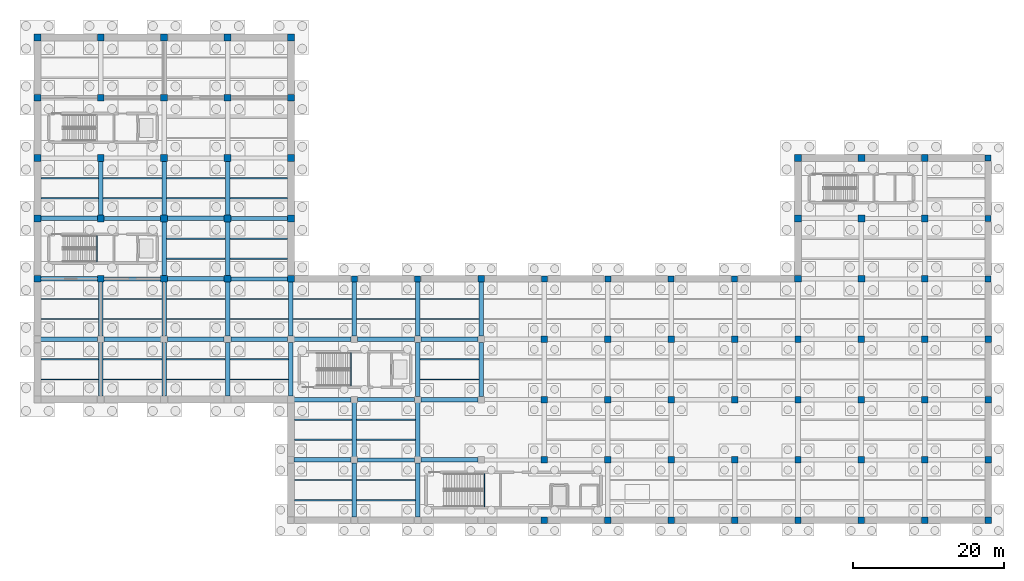
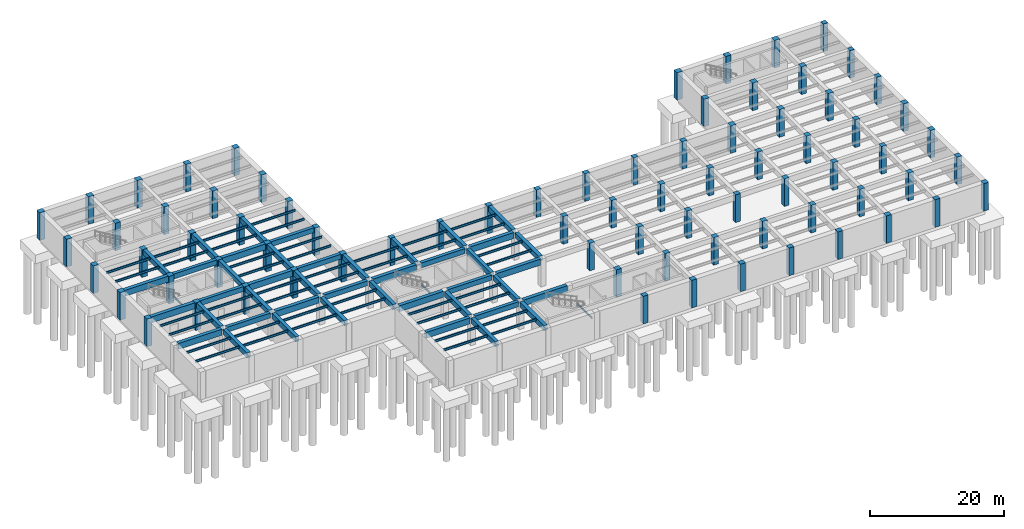
# One storey, part 3 of 12: 90 beams, 76 columns.
"""IFC4 building model written with IfcOpenShell, lengths in metres."""

from ifc_helpers import new_model, si_unit, direction, frame, origin, origin_2d, place, context, subcontext, project, spatial, rectangle, i_section, extrude, material, material_profile, profile_set, type_object, element, save


model = new_model("IFC4")

# Units and contexts
model_context = context("Model", 3, precision=1e-05, world=origin(), true_north=direction((0.0, 1.0)))
body_context = subcontext(model_context, "Body", "Model", "MODEL_VIEW")
ifc_project = project(units=[si_unit("LENGTHUNIT", "METRE"), si_unit("AREAUNIT", "SQUARE_METRE"), si_unit("VOLUMEUNIT", "CUBIC_METRE"), si_unit("PLANEANGLEUNIT", "RADIAN"), si_unit("MASSUNIT", "GRAM", prefix="KILO")], contexts=[model_context])

# Site, building, storey
site_placement = place(None, origin())
site = spatial("IfcSite", under=ifc_project, at=site_placement, CompositionType="ELEMENT")
building_placement = place(site_placement, origin())
building = spatial("IfcBuilding", under=site, at=building_placement, Name="Kranzveld Transit Interchange", CompositionType="ELEMENT")
storey_placement = place(building_placement, frame((0.0, 0.0, -10.8798828125)))
storey = spatial("IfcBuildingStorey", under=building, at=storey_placement, Name="B2", CompositionType="ELEMENT", Elevation=-10.8798828125)

# Columns
ifc_material_1 = material(Name="Concrete C40/50", Category="concrete")
ifc_material_profile_1 = material_profile(ifc_material_1, rectangle(XDim=0.800048828125, YDim=0.800048828125, at=origin_2d()), Name="RC 800x800")
ifc_profile_set_1 = profile_set([ifc_material_profile_1], Name="Concrete C40/50")
column_type_1 = type_object("IfcColumnType", Name="Column RC 800x800 C40/50", PredefinedType="COLUMN", material=ifc_profile_set_1)
for number, where, z_axis, x_axis, name in (
    (1, (42.0, 64.0, 0.0), (0.0, 0.0, 1.0), (1.0, 0.0, 0.0), "B2 Column 06/J"),
    (2, (50.39990234375, 64.0, 0.0), (0.0, 0.0, 1.0), (1.0, 0.0, 0.0), "B2 Column 07/J"),
    (3, (67.199951171875, 64.0, 0.0), (0.0, 0.0, 1.0), (1.0, 0.0, 0.0), "B2 Column 09/J"),
    (4, (75.60009765625, 64.0, 0.0), (0.0, 0.0, 1.0), (1.0, 0.0, 0.0), "B2 Column 10/J"),
    (5, (84.0, 64.0, 0.0), (0.0, 0.0, 1.0), (1.0, 0.0, 0.0), "B2 Column 11/J"),
    (6, (92.39990234375, 64.0, 0.0), (0.0, 0.0, 1.0), (1.0, 0.0, 0.0), "B2 Column 12/J"),
    (7, (126.0, 64.0, 0.0), (0.0, 0.0, 1.0), (1.0, 0.0, 0.0), "B2 Column 16/J"),
    (8, (126.0, 72.0, 0.0), (0.0, 0.0, 1.0), (1.0, 0.0, 0.0), "B2 Column 16/K"),
    (9, (126.0, 80.0, 0.0), (0.0, 0.0, 1.0), (1.0, 0.0, 0.0), "B2 Column 16/L"),
):
    element("IfcColumn", number, at=place(storey_placement, frame(where, z_axis=z_axis, x_axis=x_axis)), inside=storey, type_object=column_type_1, Name=name, PredefinedType="COLUMN", context=body_context, shape_type="SweptSolid", body=[
        extrude(rectangle(XDim=0.800048828125, YDim=0.800048828125, at=origin_2d()), origin(), (0.0, 0.0, 1.0), 5.039794921875),
    ])
ifc_material_2 = material(Name="Concrete C40/50", Category="concrete")
ifc_material_profile_2 = material_profile(ifc_material_2, rectangle(XDim=0.85009765625, YDim=0.85009765625, at=origin_2d()), Name="RC 850x850")
ifc_profile_set_2 = profile_set([ifc_material_profile_2], Name="Concrete C40/50")
column_type_2 = type_object("IfcColumnType", Name="Column RC 850x850 C40/50", PredefinedType="COLUMN", material=ifc_profile_set_2)
for number, where, z_axis, x_axis, name in (
    (10, (58.800048828125, 64.0, 0.0), (0.0, 0.0, 1.0), (1.0, 0.0, 0.0), "B2 Column 08/J"),
    (11, (67.199951171875, 32.0, 0.0), (0.0, 0.0, 1.0), (1.0, 0.0, 0.0), "B2 Column 09/E"),
    (12, (67.199951171875, 40.0, 0.0), (0.0, 0.0, 1.0), (1.0, 0.0, 0.0), "B2 Column 09/F"),
    (13, (67.199951171875, 48.0, 0.0), (0.0, 0.0, 1.0), (1.0, 0.0, 0.0), "B2 Column 09/G"),
    (14, (67.199951171875, 56.0, 0.0), (0.0, 0.0, 1.0), (1.0, 0.0, 0.0), "B2 Column 09/H"),
    (15, (75.60009765625, 32.0, 0.0), (0.0, 0.0, 1.0), (1.0, 0.0, 0.0), "B2 Column 10/E"),
    (16, (75.60009765625, 40.0, 0.0), (0.0, 0.0, 1.0), (1.0, 0.0, 0.0), "B2 Column 10/F"),
    (17, (75.60009765625, 48.0, 0.0), (0.0, 0.0, 1.0), (1.0, 0.0, 0.0), "B2 Column 10/G"),
    (18, (75.60009765625, 56.0, 0.0), (0.0, 0.0, 1.0), (1.0, 0.0, 0.0), "B2 Column 10/H"),
    (19, (84.0, 32.0, 0.0), (0.0, 0.0, 1.0), (1.0, 0.0, 0.0), "B2 Column 11/E"),
    (20, (84.0, 40.0, 0.0), (0.0, 0.0, 1.0), (1.0, 0.0, 0.0), "B2 Column 11/F"),
    (21, (84.0, 48.0, 0.0), (0.0, 0.0, 1.0), (1.0, 0.0, 0.0), "B2 Column 11/G"),
    (22, (84.0, 56.0, 0.0), (0.0, 0.0, 1.0), (1.0, 0.0, 0.0), "B2 Column 11/H"),
    (23, (92.39990234375, 32.0, 0.0), (0.0, 0.0, 1.0), (1.0, 0.0, 0.0), "B2 Column 12/E"),
    (24, (92.39990234375, 40.0, 0.0), (0.0, 0.0, 1.0), (1.0, 0.0, 0.0), "B2 Column 12/F"),
    (25, (92.39990234375, 48.0, 0.0), (0.0, 0.0, 1.0), (1.0, 0.0, 0.0), "B2 Column 12/G"),
    (26, (92.39990234375, 56.0, 0.0), (0.0, 0.0, 1.0), (1.0, 0.0, 0.0), "B2 Column 12/H"),
    (27, (100.800048828125, 32.0, 0.0), (0.0, 0.0, 1.0), (1.0, 0.0, 0.0), "B2 Column 13/E"),
    (28, (100.800048828125, 40.0, 0.0), (0.0, 0.0, 1.0), (1.0, 0.0, 0.0), "B2 Column 13/F"),
    (29, (100.800048828125, 48.0, 0.0), (0.0, 0.0, 1.0), (1.0, 0.0, 0.0), "B2 Column 13/G"),
    (30, (100.800048828125, 56.0, 0.0), (0.0, 0.0, 1.0), (1.0, 0.0, 0.0), "B2 Column 13/H"),
    (31, (109.199951171875, 32.0, 0.0), (0.0, 0.0, 1.0), (1.0, 0.0, 0.0), "B2 Column 14/E"),
    (32, (109.199951171875, 40.0, 0.0), (0.0, 0.0, 1.0), (1.0, 0.0, 0.0), "B2 Column 14/F"),
    (33, (109.199951171875, 48.0, 0.0), (0.0, 0.0, 1.0), (1.0, 0.0, 0.0), "B2 Column 14/G"),
    (34, (109.199951171875, 56.0, 0.0), (0.0, 0.0, 1.0), (1.0, 0.0, 0.0), "B2 Column 14/H"),
    (35, (117.60009765625, 32.0, 0.0), (0.0, 0.0, 1.0), (1.0, 0.0, 0.0), "B2 Column 15/E"),
    (36, (117.60009765625, 40.0, 0.0), (0.0, 0.0, 1.0), (1.0, 0.0, 0.0), "B2 Column 15/F"),
    (37, (117.60009765625, 48.0, 0.0), (0.0, 0.0, 1.0), (1.0, 0.0, 0.0), "B2 Column 15/G"),
    (38, (117.60009765625, 56.0, 0.0), (0.0, 0.0, 1.0), (1.0, 0.0, 0.0), "B2 Column 15/H"),
    (39, (126.0, 32.0, 0.0), (0.0, 0.0, 1.0), (1.0, 0.0, 0.0), "B2 Column 16/E"),
    (40, (126.0, 40.0, 0.0), (0.0, 0.0, 1.0), (1.0, 0.0, 0.0), "B2 Column 16/F"),
    (41, (126.0, 48.0, 0.0), (0.0, 0.0, 1.0), (1.0, 0.0, 0.0), "B2 Column 16/G"),
    (42, (126.0, 56.0, 0.0), (0.0, 0.0, 1.0), (1.0, 0.0, 0.0), "B2 Column 16/H"),
):
    element("IfcColumn", number, at=place(storey_placement, frame(where, z_axis=z_axis, x_axis=x_axis)), inside=storey, type_object=column_type_2, Name=name, PredefinedType="COLUMN", context=body_context, shape_type="SweptSolid", body=[
        extrude(rectangle(XDim=0.85009765625, YDim=0.85009765625, at=origin_2d()), origin(), (0.0, 0.0, 1.0), 5.039794921875),
    ])
ifc_material_3 = material(Name="Concrete C40/50", Category="concrete")
ifc_material_profile_3 = material_profile(ifc_material_3, rectangle(XDim=0.89990234375, YDim=0.89990234375, at=origin_2d()), Name="RC 900x900")
ifc_profile_set_3 = profile_set([ifc_material_profile_3], Name="Concrete C40/50")
column_type_3 = type_object("IfcColumnType", Name="Column RC 900x900 C40/50", PredefinedType="COLUMN", material=ifc_profile_set_3)
for number, where, z_axis, x_axis, name in (
    (43, (0.0, 64.0, 0.0), (0.0, 0.0, 1.0), (1.0, 0.0, 0.0), "B2 Column 01/J"),
    (44, (0.0, 72.0, 0.0), (0.0, 0.0, 1.0), (1.0, 0.0, 0.0), "B2 Column 01/K"),
    (45, (0.0, 80.0, 0.0), (0.0, 0.0, 1.0), (1.0, 0.0, 0.0), "B2 Column 01/L"),
    (46, (0.0, 88.0, 0.0), (0.0, 0.0, 1.0), (1.0, 0.0, 0.0), "B2 Column 01/M"),
    (47, (0.0, 96.0, 0.0), (0.0, 0.0, 1.0), (1.0, 0.0, 0.0), "B2 Column 01/N"),
    (48, (8.39990234375, 64.0, 0.0), (0.0, 0.0, 1.0), (1.0, 0.0, 0.0), "B2 Column 02/J"),
    (49, (8.39990234375, 72.0, 0.0), (0.0, 0.0, 1.0), (1.0, 0.0, 0.0), "B2 Column 02/K"),
    (50, (8.39990234375, 80.0, 0.0), (0.0, 0.0, 1.0), (1.0, 0.0, 0.0), "B2 Column 02/L"),
    (51, (8.39990234375, 88.0, 0.0), (0.0, 0.0, 1.0), (1.0, 0.0, 0.0), "B2 Column 02/M"),
    (52, (8.39990234375, 96.0, 0.0), (0.0, 0.0, 1.0), (1.0, 0.0, 0.0), "B2 Column 02/N"),
    (53, (16.800048828125, 64.0, 0.0), (0.0, 0.0, 1.0), (1.0, 0.0, 0.0), "B2 Column 03/J"),
    (54, (16.800048828125, 72.0, 0.0), (0.0, 0.0, 1.0), (1.0, 0.0, 0.0), "B2 Column 03/K"),
    (55, (16.800048828125, 80.0, 0.0), (0.0, 0.0, 1.0), (1.0, 0.0, 0.0), "B2 Column 03/L"),
    (56, (16.800048828125, 88.0, 0.0), (0.0, 0.0, 1.0), (1.0, 0.0, 0.0), "B2 Column 03/M"),
    (57, (16.800048828125, 96.0, 0.0), (0.0, 0.0, 1.0), (1.0, 0.0, 0.0), "B2 Column 03/N"),
    (58, (25.199951171875, 64.0, 0.0), (0.0, 0.0, 1.0), (1.0, 0.0, 0.0), "B2 Column 04/J"),
    (59, (25.199951171875, 72.0, 0.0), (0.0, 0.0, 1.0), (1.0, 0.0, 0.0), "B2 Column 04/K"),
    (60, (25.199951171875, 80.0, 0.0), (0.0, 0.0, 1.0), (1.0, 0.0, 0.0), "B2 Column 04/L"),
    (61, (25.199951171875, 88.0, 0.0), (0.0, 0.0, 1.0), (1.0, 0.0, 0.0), "B2 Column 04/M"),
    (62, (25.199951171875, 96.0, 0.0), (0.0, 0.0, 1.0), (1.0, 0.0, 0.0), "B2 Column 04/N"),
    (63, (33.60009765625, 64.0, 0.0), (0.0, 0.0, 1.0), (1.0, 0.0, 0.0), "B2 Column 05/J"),
    (64, (33.60009765625, 72.0, 0.0), (0.0, 0.0, 1.0), (1.0, 0.0, 0.0), "B2 Column 05/K"),
    (65, (33.60009765625, 80.0, 0.0), (0.0, 0.0, 1.0), (1.0, 0.0, 0.0), "B2 Column 05/L"),
    (66, (33.60009765625, 88.0, 0.0), (0.0, 0.0, 1.0), (1.0, 0.0, 0.0), "B2 Column 05/M"),
    (67, (33.60009765625, 96.0, 0.0), (0.0, 0.0, 1.0), (1.0, 0.0, 0.0), "B2 Column 05/N"),
    (68, (100.800048828125, 64.0, 0.0), (0.0, 0.0, 1.0), (1.0, 0.0, 0.0), "B2 Column 13/J"),
    (69, (100.800048828125, 72.0, 0.0), (0.0, 0.0, 1.0), (1.0, 0.0, 0.0), "B2 Column 13/K"),
    (70, (100.800048828125, 80.0, 0.0), (0.0, 0.0, 1.0), (1.0, 0.0, 0.0), "B2 Column 13/L"),
    (71, (109.199951171875, 64.0, 0.0), (0.0, 0.0, 1.0), (1.0, 0.0, 0.0), "B2 Column 14/J"),
    (72, (109.199951171875, 72.0, 0.0), (0.0, 0.0, 1.0), (1.0, 0.0, 0.0), "B2 Column 14/K"),
    (73, (109.199951171875, 80.0, 0.0), (0.0, 0.0, 1.0), (1.0, 0.0, 0.0), "B2 Column 14/L"),
    (74, (117.60009765625, 64.0, 0.0), (0.0, 0.0, 1.0), (1.0, 0.0, 0.0), "B2 Column 15/J"),
    (75, (117.60009765625, 72.0, 0.0), (0.0, 0.0, 1.0), (1.0, 0.0, 0.0), "B2 Column 15/K"),
    (76, (117.60009765625, 80.0, 0.0), (0.0, 0.0, 1.0), (1.0, 0.0, 0.0), "B2 Column 15/L"),
):
    element("IfcColumn", number, at=place(storey_placement, frame(where, z_axis=z_axis, x_axis=x_axis)), inside=storey, type_object=column_type_3, Name=name, PredefinedType="COLUMN", context=body_context, shape_type="SweptSolid", body=[
        extrude(rectangle(XDim=0.89990234375, YDim=0.89990234375, at=origin_2d()), origin(), (0.0, 0.0, 1.0), 5.039794921875),
    ])

# Beams
ifc_material_4 = material(Name="Steel S355JR", Category="steel")
ifc_material_profile_4 = material_profile(ifc_material_4, i_section(OverallWidth=0.1787109375, OverallDepth=0.409423828125, WebThickness=0.0087890625, FlangeThickness=0.014404296875, FilletRadius=0.01025390625, at=origin_2d()), Name="UB 406x178x67")
ifc_profile_set_4 = profile_set([ifc_material_profile_4], Name="Steel S355JR")
beam_type_1 = type_object("IfcBeamType", Name="Floor Joist UB 406x178x67 S355JR", PredefinedType="JOIST", material=ifc_profile_set_4)
for number, where, z_axis, x_axis, name in (
    (77, (0.451904296875, 50.666748046875, 4.835205078125), (1.0, 0.0, 0.0), (0.0, 1.0, 0.0), "B2 Secondary Joist 01-02/G.1"),
    (78, (0.451904296875, 53.333251953125, 4.835205078125), (1.0, 0.0, 0.0), (0.0, 1.0, 0.0), "B2 Secondary Joist 01-02/G.2"),
    (79, (0.451904296875, 58.666748046875, 4.835205078125), (1.0, 0.0, 0.0), (0.0, 1.0, 0.0), "B2 Secondary Joist 01-02/H.1"),
    (80, (0.451904296875, 61.333251953125, 4.835205078125), (1.0, 0.0, 0.0), (0.0, 1.0, 0.0), "B2 Secondary Joist 01-02/H.2"),
    (81, (0.451904296875, 74.666748046875, 4.835205078125), (1.0, 0.0, 0.0), (0.0, 1.0, 0.0), "B2 Secondary Joist 01-02/K.1"),
    (82, (0.451904296875, 77.333251953125, 4.835205078125), (1.0, 0.0, 0.0), (0.0, 1.0, 0.0), "B2 Secondary Joist 01-02/K.2"),
):
    element("IfcBeam", number, at=place(storey_placement, frame(where, z_axis=z_axis, x_axis=x_axis)), inside=storey, type_object=beam_type_1, Name=name, PredefinedType="JOIST", context=body_context, shape_type="SweptSolid", body=[
        extrude(i_section(OverallWidth=0.1787109375, OverallDepth=0.409423828125, WebThickness=0.0087890625, FlangeThickness=0.014404296875, FilletRadius=0.01025390625, at=origin_2d()), origin(), (0.0, 0.0, 1.0), 7.64599609375),
    ])
for number, where, z_axis, x_axis, name in (
    (83, (8.701904296875, 50.666748046875, 4.835205078125), (1.0, 0.0, 0.0), (0.0, 1.0, 0.0), "B2 Secondary Joist 02-03/G.1"),
    (84, (8.701904296875, 53.333251953125, 4.835205078125), (1.0, 0.0, 0.0), (0.0, 1.0, 0.0), "B2 Secondary Joist 02-03/G.2"),
    (85, (8.701904296875, 58.666748046875, 4.835205078125), (1.0, 0.0, 0.0), (0.0, 1.0, 0.0), "B2 Secondary Joist 02-03/H.1"),
    (86, (8.701904296875, 61.333251953125, 4.835205078125), (1.0, 0.0, 0.0), (0.0, 1.0, 0.0), "B2 Secondary Joist 02-03/H.2"),
    (87, (8.701904296875, 74.666748046875, 4.835205078125), (1.0, 0.0, 0.0), (0.0, 1.0, 0.0), "B2 Secondary Joist 02-03/K.1"),
    (88, (8.701904296875, 77.333251953125, 4.835205078125), (1.0, 0.0, 0.0), (0.0, 1.0, 0.0), "B2 Secondary Joist 02-03/K.2"),
):
    element("IfcBeam", number, at=place(storey_placement, frame(where, z_axis=z_axis, x_axis=x_axis)), inside=storey, type_object=beam_type_1, Name=name, PredefinedType="JOIST", context=body_context, shape_type="SweptSolid", body=[
        extrude(i_section(OverallWidth=0.1787109375, OverallDepth=0.409423828125, WebThickness=0.0087890625, FlangeThickness=0.014404296875, FilletRadius=0.01025390625, at=origin_2d()), origin(), (0.0, 0.0, 1.0), 7.796142578125),
    ])
for number, where, z_axis, x_axis, name in (
    (89, (17.10205078125, 50.666748046875, 4.835205078125), (1.0, 0.0, 0.0), (0.0, 1.0, 0.0), "B2 Secondary Joist 03-04/G.1"),
    (90, (17.10205078125, 53.333251953125, 4.835205078125), (1.0, 0.0, 0.0), (0.0, 1.0, 0.0), "B2 Secondary Joist 03-04/G.2"),
    (91, (17.10205078125, 58.666748046875, 4.835205078125), (1.0, 0.0, 0.0), (0.0, 1.0, 0.0), "B2 Secondary Joist 03-04/H.1"),
    (92, (17.10205078125, 61.333251953125, 4.835205078125), (1.0, 0.0, 0.0), (0.0, 1.0, 0.0), "B2 Secondary Joist 03-04/H.2"),
    (93, (17.10205078125, 66.666748046875, 4.835205078125), (1.0, 0.0, 0.0), (0.0, 1.0, 0.0), "B2 Secondary Joist 03-04/J.1"),
    (94, (17.10205078125, 69.333251953125, 4.835205078125), (1.0, 0.0, 0.0), (0.0, 1.0, 0.0), "B2 Secondary Joist 03-04/J.2"),
    (95, (17.10205078125, 74.666748046875, 4.835205078125), (1.0, 0.0, 0.0), (0.0, 1.0, 0.0), "B2 Secondary Joist 03-04/K.1"),
    (96, (17.10205078125, 77.333251953125, 4.835205078125), (1.0, 0.0, 0.0), (0.0, 1.0, 0.0), "B2 Secondary Joist 03-04/K.2"),
):
    element("IfcBeam", number, at=place(storey_placement, frame(where, z_axis=z_axis, x_axis=x_axis)), inside=storey, type_object=beam_type_1, Name=name, PredefinedType="JOIST", context=body_context, shape_type="SweptSolid", body=[
        extrude(i_section(OverallWidth=0.1787109375, OverallDepth=0.409423828125, WebThickness=0.0087890625, FlangeThickness=0.014404296875, FilletRadius=0.01025390625, at=origin_2d()), origin(), (0.0, 0.0, 1.0), 7.7958984375),
    ])
for number, where, z_axis, x_axis, name in (
    (97, (25.501953125, 50.666748046875, 4.835205078125), (1.0, 0.0, 0.0), (0.0, 1.0, 0.0), "B2 Secondary Joist 04-05/G.1"),
    (98, (25.501953125, 53.333251953125, 4.835205078125), (1.0, 0.0, 0.0), (0.0, 1.0, 0.0), "B2 Secondary Joist 04-05/G.2"),
    (99, (25.501953125, 58.666748046875, 4.835205078125), (1.0, 0.0, 0.0), (0.0, 1.0, 0.0), "B2 Secondary Joist 04-05/H.1"),
    (100, (25.501953125, 61.333251953125, 4.835205078125), (1.0, 0.0, 0.0), (0.0, 1.0, 0.0), "B2 Secondary Joist 04-05/H.2"),
):
    element("IfcBeam", number, at=place(storey_placement, frame(where, z_axis=z_axis, x_axis=x_axis)), inside=storey, type_object=beam_type_1, Name=name, PredefinedType="JOIST", context=body_context, shape_type="SweptSolid", body=[
        extrude(i_section(OverallWidth=0.1787109375, OverallDepth=0.409423828125, WebThickness=0.0087890625, FlangeThickness=0.014404296875, FilletRadius=0.01025390625, at=origin_2d()), origin(), (0.0, 0.0, 1.0), 7.796142578125),
    ])
for number, where, z_axis, x_axis, name in (
    (101, (25.501953125, 66.666748046875, 4.835205078125), (1.0, 0.0, 0.0), (0.0, 1.0, 0.0), "B2 Secondary Joist 04-05/J.1"),
    (102, (25.501953125, 69.333251953125, 4.835205078125), (1.0, 0.0, 0.0), (0.0, 1.0, 0.0), "B2 Secondary Joist 04-05/J.2"),
    (103, (25.501953125, 74.666748046875, 4.835205078125), (1.0, 0.0, 0.0), (0.0, 1.0, 0.0), "B2 Secondary Joist 04-05/K.1"),
    (104, (25.501953125, 77.333251953125, 4.835205078125), (1.0, 0.0, 0.0), (0.0, 1.0, 0.0), "B2 Secondary Joist 04-05/K.2"),
    (105, (34.052001953125, 34.666748046875, 4.835205078125), (1.0, 0.0, 0.0), (0.0, 1.0, 0.0), "B2 Secondary Joist 05-06/E.1"),
    (106, (34.052001953125, 37.333251953125, 4.835205078125), (1.0, 0.0, 0.0), (0.0, 1.0, 0.0), "B2 Secondary Joist 05-06/E.2"),
    (107, (34.052001953125, 42.666748046875, 4.835205078125), (1.0, 0.0, 0.0), (0.0, 1.0, 0.0), "B2 Secondary Joist 05-06/F.1"),
    (108, (34.052001953125, 45.333251953125, 4.835205078125), (1.0, 0.0, 0.0), (0.0, 1.0, 0.0), "B2 Secondary Joist 05-06/F.2"),
):
    element("IfcBeam", number, at=place(storey_placement, frame(where, z_axis=z_axis, x_axis=x_axis)), inside=storey, type_object=beam_type_1, Name=name, PredefinedType="JOIST", context=body_context, shape_type="SweptSolid", body=[
        extrude(i_section(OverallWidth=0.1787109375, OverallDepth=0.409423828125, WebThickness=0.0087890625, FlangeThickness=0.014404296875, FilletRadius=0.01025390625, at=origin_2d()), origin(), (0.0, 0.0, 1.0), 7.64599609375),
    ])
for number, where, z_axis, x_axis, name in (
    (109, (33.902099609375, 58.666748046875, 4.835205078125), (1.0, 0.0, 0.0), (0.0, 1.0, 0.0), "B2 Secondary Joist 05-06/H.1"),
    (110, (33.902099609375, 61.333251953125, 4.835205078125), (1.0, 0.0, 0.0), (0.0, 1.0, 0.0), "B2 Secondary Joist 05-06/H.2"),
    (111, (42.302001953125, 34.666748046875, 4.835205078125), (1.0, 0.0, 0.0), (0.0, 1.0, 0.0), "B2 Secondary Joist 06-07/E.1"),
    (112, (42.302001953125, 37.333251953125, 4.835205078125), (1.0, 0.0, 0.0), (0.0, 1.0, 0.0), "B2 Secondary Joist 06-07/E.2"),
    (113, (42.302001953125, 42.666748046875, 4.835205078125), (1.0, 0.0, 0.0), (0.0, 1.0, 0.0), "B2 Secondary Joist 06-07/F.1"),
    (114, (42.302001953125, 45.333251953125, 4.835205078125), (1.0, 0.0, 0.0), (0.0, 1.0, 0.0), "B2 Secondary Joist 06-07/F.2"),
    (115, (42.302001953125, 58.666748046875, 4.835205078125), (1.0, 0.0, 0.0), (0.0, 1.0, 0.0), "B2 Secondary Joist 06-07/H.1"),
    (116, (42.302001953125, 61.333251953125, 4.835205078125), (1.0, 0.0, 0.0), (0.0, 1.0, 0.0), "B2 Secondary Joist 06-07/H.2"),
):
    element("IfcBeam", number, at=place(storey_placement, frame(where, z_axis=z_axis, x_axis=x_axis)), inside=storey, type_object=beam_type_1, Name=name, PredefinedType="JOIST", context=body_context, shape_type="SweptSolid", body=[
        extrude(i_section(OverallWidth=0.1787109375, OverallDepth=0.409423828125, WebThickness=0.0087890625, FlangeThickness=0.014404296875, FilletRadius=0.01025390625, at=origin_2d()), origin(), (0.0, 0.0, 1.0), 7.7958984375),
    ])
for number, where, z_axis, x_axis, name in (
    (117, (50.701904296875, 50.666748046875, 4.835205078125), (1.0, 0.0, 0.0), (0.0, 1.0, 0.0), "B2 Secondary Joist 07-08/G.1"),
    (118, (50.701904296875, 53.333251953125, 4.835205078125), (1.0, 0.0, 0.0), (0.0, 1.0, 0.0), "B2 Secondary Joist 07-08/G.2"),
    (119, (50.701904296875, 58.666748046875, 4.835205078125), (1.0, 0.0, 0.0), (0.0, 1.0, 0.0), "B2 Secondary Joist 07-08/H.1"),
    (120, (50.701904296875, 61.333251953125, 4.835205078125), (1.0, 0.0, 0.0), (0.0, 1.0, 0.0), "B2 Secondary Joist 07-08/H.2"),
):
    element("IfcBeam", number, at=place(storey_placement, frame(where, z_axis=z_axis, x_axis=x_axis)), inside=storey, type_object=beam_type_1, Name=name, PredefinedType="JOIST", context=body_context, shape_type="SweptSolid", body=[
        extrude(i_section(OverallWidth=0.1787109375, OverallDepth=0.409423828125, WebThickness=0.0087890625, FlangeThickness=0.014404296875, FilletRadius=0.01025390625, at=origin_2d()), origin(), (0.0, 0.0, 1.0), 7.796142578125),
    ])
ifc_material_5 = material(Name="Concrete C40/50", Category="concrete")
ifc_material_profile_5 = material_profile(ifc_material_5, rectangle(XDim=0.550048828125, YDim=0.89990234375, at=origin_2d()), Name="RC 550x900")
ifc_profile_set_5 = profile_set([ifc_material_profile_5], Name="Concrete C40/50")
beam_type_2 = type_object("IfcBeamType", Name="Girder RC 550x900 C40/50", PredefinedType="BEAM", material=ifc_profile_set_5)
for number, where, z_axis, x_axis, name in (
    (121, (42.4150390625, 40.0, 4.58984375), (1.0, 0.0, 0.0), (0.0, 1.0, 0.0), "B2 Girder 06-07/F"),
    (122, (42.4150390625, 48.0, 4.58984375), (1.0, 0.0, 0.0), (0.0, 1.0, 0.0), "B2 Girder 06-07/G"),
):
    element("IfcBeam", number, at=place(storey_placement, frame(where, z_axis=z_axis, x_axis=x_axis)), inside=storey, type_object=beam_type_2, Name=name, PredefinedType="BEAM", context=body_context, shape_type="SweptSolid", body=[
        extrude(rectangle(XDim=0.550048828125, YDim=0.89990234375, at=origin_2d()), origin(), (0.0, 0.0, 1.0), 7.570068359375),
    ])
for number, where, z_axis, x_axis, name in (
    (123, (8.840087890625, 56.0, 4.58984375), (1.0, 0.0, 0.0), (0.0, 1.0, 0.0), "B2 Girder 02-03/H"),
    (124, (25.639892578125, 56.0, 4.58984375), (1.0, 0.0, 0.0), (0.0, 1.0, 0.0), "B2 Girder 04-05/H"),
):
    element("IfcBeam", number, at=place(storey_placement, frame(where, z_axis=z_axis, x_axis=x_axis)), inside=storey, type_object=beam_type_2, Name=name, PredefinedType="BEAM", context=body_context, shape_type="SweptSolid", body=[
        extrude(rectangle(XDim=0.550048828125, YDim=0.89990234375, at=origin_2d()), origin(), (0.0, 0.0, 1.0), 7.52001953125),
    ])
beam_1_placement = place(storey_placement, frame((42.4150390625, 56.0, 4.58984375), z_axis=(1.0, 0.0, 0.0), x_axis=(0.0, 1.0, 0.0)))
element("IfcBeam", 125, at=beam_1_placement, inside=storey, type_object=beam_type_2, Name="B2 Girder 06-07/H", PredefinedType="BEAM", context=body_context, shape_type="SweptSolid", body=[
    extrude(rectangle(XDim=0.550048828125, YDim=0.89990234375, at=origin_2d()), origin(), (0.0, 0.0, 1.0), 7.570068359375),
])
for number, where, z_axis, x_axis, name in (
    (126, (8.840087890625, 64.0, 4.58984375), (1.0, 0.0, 0.0), (0.0, 1.0, 0.0), "B2 Girder 02-03/J"),
    (127, (25.639892578125, 64.0, 4.58984375), (1.0, 0.0, 0.0), (0.0, 1.0, 0.0), "B2 Girder 04-05/J"),
    (128, (8.840087890625, 72.0, 4.58984375), (1.0, 0.0, 0.0), (0.0, 1.0, 0.0), "B2 Girder 02-03/K"),
    (129, (25.639892578125, 72.0, 4.58984375), (1.0, 0.0, 0.0), (0.0, 1.0, 0.0), "B2 Girder 04-05/K"),
):
    element("IfcBeam", number, at=place(storey_placement, frame(where, z_axis=z_axis, x_axis=x_axis)), inside=storey, type_object=beam_type_2, Name=name, PredefinedType="BEAM", context=body_context, shape_type="SweptSolid", body=[
        extrude(rectangle(XDim=0.550048828125, YDim=0.89990234375, at=origin_2d()), origin(), (0.0, 0.0, 1.0), 7.52001953125),
    ])
ifc_material_6 = material(Name="Concrete C40/50", Category="concrete")
ifc_material_profile_6 = material_profile(ifc_material_6, rectangle(XDim=0.60009765625, YDim=1.10009765625, at=origin_2d()), Name="RC 600x1100")
ifc_profile_set_6 = profile_set([ifc_material_profile_6], Name="Concrete C40/50")
beam_type_3 = type_object("IfcBeamType", Name="Girder RC 600x1100 C40/50", PredefinedType="BEAM", material=ifc_profile_set_6)
for number, where, z_axis, x_axis, name in (
    (130, (34.014892578125, 40.0, 4.489990234375), (1.0, 0.0, 0.0), (0.0, 1.0, 0.0), "B2 Girder 05-06/F"),
    (131, (50.81494140625, 40.0, 4.489990234375), (1.0, 0.0, 0.0), (0.0, 1.0, 0.0), "B2 Girder 07-08/F"),
):
    element("IfcBeam", number, at=place(storey_placement, frame(where, z_axis=z_axis, x_axis=x_axis)), inside=storey, type_object=beam_type_3, Name=name, PredefinedType="BEAM", context=body_context, shape_type="SweptSolid", body=[
        extrude(rectangle(XDim=0.60009765625, YDim=1.10009765625, at=origin_2d()), origin(), (0.0, 0.0, 1.0), 7.570068359375),
    ])
beam_2_placement = place(storey_placement, frame((34.0400390625, 48.0, 4.489990234375), z_axis=(1.0, 0.0, 0.0), x_axis=(0.0, 1.0, 0.0)))
element("IfcBeam", 132, at=beam_2_placement, inside=storey, type_object=beam_type_3, Name="B2 Girder 05-06/G", PredefinedType="BEAM", context=body_context, shape_type="SweptSolid", body=[
    extrude(rectangle(XDim=0.60009765625, YDim=1.10009765625, at=origin_2d()), origin(), (0.0, 0.0, 1.0), 7.544921875),
])
beam_3_placement = place(storey_placement, frame((50.81494140625, 48.0, 4.489990234375), z_axis=(1.0, 0.0, 0.0), x_axis=(0.0, 1.0, 0.0)))
element("IfcBeam", 133, at=beam_3_placement, inside=storey, type_object=beam_type_3, Name="B2 Girder 07-08/G", PredefinedType="BEAM", context=body_context, shape_type="SweptSolid", body=[
    extrude(rectangle(XDim=0.60009765625, YDim=1.10009765625, at=origin_2d()), origin(), (0.0, 0.0, 1.0), 7.570068359375),
])
for number, where, z_axis, x_axis, name in (
    (134, (0.43994140625, 56.0, 4.489990234375), (1.0, 0.0, 0.0), (0.0, 1.0, 0.0), "B2 Girder 01-02/H"),
    (135, (17.239990234375, 56.0, 4.489990234375), (1.0, 0.0, 0.0), (0.0, 1.0, 0.0), "B2 Girder 03-04/H"),
):
    element("IfcBeam", number, at=place(storey_placement, frame(where, z_axis=z_axis, x_axis=x_axis)), inside=storey, type_object=beam_type_3, Name=name, PredefinedType="BEAM", context=body_context, shape_type="SweptSolid", body=[
        extrude(rectangle(XDim=0.60009765625, YDim=1.10009765625, at=origin_2d()), origin(), (0.0, 0.0, 1.0), 7.52001953125),
    ])
beam_4_placement = place(storey_placement, frame((34.0400390625, 56.0, 4.489990234375), z_axis=(1.0, 0.0, 0.0), x_axis=(0.0, 1.0, 0.0)))
element("IfcBeam", 136, at=beam_4_placement, inside=storey, type_object=beam_type_3, Name="B2 Girder 05-06/H", PredefinedType="BEAM", context=body_context, shape_type="SweptSolid", body=[
    extrude(rectangle(XDim=0.60009765625, YDim=1.10009765625, at=origin_2d()), origin(), (0.0, 0.0, 1.0), 7.544921875),
])
beam_5_placement = place(storey_placement, frame((50.81494140625, 56.0, 4.489990234375), z_axis=(1.0, 0.0, 0.0), x_axis=(0.0, 1.0, 0.0)))
element("IfcBeam", 137, at=beam_5_placement, inside=storey, type_object=beam_type_3, Name="B2 Girder 07-08/H", PredefinedType="BEAM", context=body_context, shape_type="SweptSolid", body=[
    extrude(rectangle(XDim=0.60009765625, YDim=1.10009765625, at=origin_2d()), origin(), (0.0, 0.0, 1.0), 7.570068359375),
])
for number, where, z_axis, x_axis, name in (
    (138, (0.43994140625, 64.0, 4.489990234375), (1.0, 0.0, 0.0), (0.0, 1.0, 0.0), "B2 Girder 01-02/J"),
    (139, (17.239990234375, 64.0, 4.489990234375), (1.0, 0.0, 0.0), (0.0, 1.0, 0.0), "B2 Girder 03-04/J"),
    (140, (0.43994140625, 72.0, 4.489990234375), (1.0, 0.0, 0.0), (0.0, 1.0, 0.0), "B2 Girder 01-02/K"),
    (141, (17.239990234375, 72.0, 4.489990234375), (1.0, 0.0, 0.0), (0.0, 1.0, 0.0), "B2 Girder 03-04/K"),
):
    element("IfcBeam", number, at=place(storey_placement, frame(where, z_axis=z_axis, x_axis=x_axis)), inside=storey, type_object=beam_type_3, Name=name, PredefinedType="BEAM", context=body_context, shape_type="SweptSolid", body=[
        extrude(rectangle(XDim=0.60009765625, YDim=1.10009765625, at=origin_2d()), origin(), (0.0, 0.0, 1.0), 7.52001953125),
    ])
ifc_material_7 = material(Name="Concrete C40/50", Category="concrete")
ifc_material_profile_7 = material_profile(ifc_material_7, rectangle(XDim=0.60009765625, YDim=0.949951171875, at=origin_2d()), Name="RC 600x950")
ifc_profile_set_7 = profile_set([ifc_material_profile_7], Name="Concrete C40/50")
beam_type_4 = type_object("IfcBeamType", Name="Girder RC 600x950 C40/50", PredefinedType="BEAM", material=ifc_profile_set_7)
for number, where, z_axis, x_axis, name in (
    (142, (8.39990234375, 48.43994140625, 4.56494140625), (0.0, 1.0, 0.0), (-1.0, 0.0, 0.0), "B2 Girder 02/G-H"),
    (143, (8.39990234375, 56.43994140625, 4.56494140625), (0.0, 1.0, 0.0), (-1.0, 0.0, 0.0), "B2 Girder 02/H-J"),
    (144, (8.39990234375, 72.43994140625, 4.56494140625), (0.0, 1.0, 0.0), (-1.0, 0.0, 0.0), "B2 Girder 02/K-L"),
    (145, (16.800048828125, 48.43994140625, 4.56494140625), (0.0, 1.0, 0.0), (-1.0, 0.0, 0.0), "B2 Girder 03/G-H"),
    (146, (16.800048828125, 56.43994140625, 4.56494140625), (0.0, 1.0, 0.0), (-1.0, 0.0, 0.0), "B2 Girder 03/H-J"),
    (147, (16.800048828125, 64.43994140625, 4.56494140625), (0.0, 1.0, 0.0), (-1.0, 0.0, 0.0), "B2 Girder 03/J-K"),
    (148, (16.800048828125, 72.43994140625, 4.56494140625), (0.0, 1.0, 0.0), (-1.0, 0.0, 0.0), "B2 Girder 03/K-L"),
    (149, (25.199951171875, 48.43994140625, 4.56494140625), (0.0, 1.0, 0.0), (-1.0, 0.0, 0.0), "B2 Girder 04/G-H"),
    (150, (25.199951171875, 56.43994140625, 4.56494140625), (0.0, 1.0, 0.0), (-1.0, 0.0, 0.0), "B2 Girder 04/H-J"),
    (151, (25.199951171875, 64.43994140625, 4.56494140625), (0.0, 1.0, 0.0), (-1.0, 0.0, 0.0), "B2 Girder 04/J-K"),
    (152, (25.199951171875, 72.43994140625, 4.56494140625), (0.0, 1.0, 0.0), (-1.0, 0.0, 0.0), "B2 Girder 04/K-L"),
    (153, (33.60009765625, 48.43994140625, 4.56494140625), (0.0, 1.0, 0.0), (-1.0, 0.0, 0.0), "B2 Girder 05/G-H"),
    (154, (33.60009765625, 56.43994140625, 4.56494140625), (0.0, 1.0, 0.0), (-1.0, 0.0, 0.0), "B2 Girder 05/H-J"),
):
    element("IfcBeam", number, at=place(storey_placement, frame(where, z_axis=z_axis, x_axis=x_axis)), inside=storey, type_object=beam_type_4, Name=name, PredefinedType="BEAM", context=body_context, shape_type="SweptSolid", body=[
        extrude(rectangle(XDim=0.60009765625, YDim=0.949951171875, at=origin_2d()), origin(), (0.0, 0.0, 1.0), 7.1201171875),
    ])
for number, where, z_axis, x_axis, name in (
    (155, (42.0, 32.4150390625, 4.56494140625), (0.0, 1.0, 0.0), (-1.0, 0.0, 0.0), "B2 Girder 06/E-F"),
    (156, (42.0, 40.4150390625, 4.56494140625), (0.0, 1.0, 0.0), (-1.0, 0.0, 0.0), "B2 Girder 06/F-G"),
):
    element("IfcBeam", number, at=place(storey_placement, frame(where, z_axis=z_axis, x_axis=x_axis)), inside=storey, type_object=beam_type_4, Name=name, PredefinedType="BEAM", context=body_context, shape_type="SweptSolid", body=[
        extrude(rectangle(XDim=0.60009765625, YDim=0.949951171875, at=origin_2d()), origin(), (0.0, 0.0, 1.0), 7.169921875),
    ])
beam_6_placement = place(storey_placement, frame((42.0, 56.4150390625, 4.56494140625), z_axis=(0.0, 1.0, 0.0), x_axis=(-1.0, 0.0, 0.0)))
element("IfcBeam", 157, at=beam_6_placement, inside=storey, type_object=beam_type_4, Name="B2 Girder 06/H-J", PredefinedType="BEAM", context=body_context, shape_type="SweptSolid", body=[
    extrude(rectangle(XDim=0.60009765625, YDim=0.949951171875, at=origin_2d()), origin(), (0.0, 0.0, 1.0), 7.195068359375),
])
for number, where, z_axis, x_axis, name in (
    (158, (50.39990234375, 32.4150390625, 4.56494140625), (0.0, 1.0, 0.0), (-1.0, 0.0, 0.0), "B2 Girder 07/E-F"),
    (159, (50.39990234375, 40.4150390625, 4.56494140625), (0.0, 1.0, 0.0), (-1.0, 0.0, 0.0), "B2 Girder 07/F-G"),
    (160, (50.39990234375, 48.4150390625, 4.56494140625), (0.0, 1.0, 0.0), (-1.0, 0.0, 0.0), "B2 Girder 07/G-H"),
):
    element("IfcBeam", number, at=place(storey_placement, frame(where, z_axis=z_axis, x_axis=x_axis)), inside=storey, type_object=beam_type_4, Name=name, PredefinedType="BEAM", context=body_context, shape_type="SweptSolid", body=[
        extrude(rectangle(XDim=0.60009765625, YDim=0.949951171875, at=origin_2d()), origin(), (0.0, 0.0, 1.0), 7.169921875),
    ])
beam_7_placement = place(storey_placement, frame((50.39990234375, 56.4150390625, 4.56494140625), z_axis=(0.0, 1.0, 0.0), x_axis=(-1.0, 0.0, 0.0)))
element("IfcBeam", 161, at=beam_7_placement, inside=storey, type_object=beam_type_4, Name="B2 Girder 07/H-J", PredefinedType="BEAM", context=body_context, shape_type="SweptSolid", body=[
    extrude(rectangle(XDim=0.60009765625, YDim=0.949951171875, at=origin_2d()), origin(), (0.0, 0.0, 1.0), 7.195068359375),
])
for number, where, z_axis, x_axis, name in (
    (162, (58.800048828125, 48.4150390625, 4.56494140625), (0.0, 1.0, 0.0), (-1.0, 0.0, 0.0), "B2 Girder 08/G-H"),
    (163, (58.800048828125, 56.4150390625, 4.56494140625), (0.0, 1.0, 0.0), (-1.0, 0.0, 0.0), "B2 Girder 08/H-J"),
):
    element("IfcBeam", number, at=place(storey_placement, frame(where, z_axis=z_axis, x_axis=x_axis)), inside=storey, type_object=beam_type_4, Name=name, PredefinedType="BEAM", context=body_context, shape_type="SweptSolid", body=[
        extrude(rectangle(XDim=0.60009765625, YDim=0.949951171875, at=origin_2d()), origin(), (0.0, 0.0, 1.0), 7.169921875),
    ])
ifc_material_8 = material(Name="Steel S355JR", Category="steel")
ifc_material_profile_8 = material_profile(ifc_material_8, i_section(OverallWidth=0.165771484375, OverallDepth=0.306640625, WebThickness=0.006591796875, FlangeThickness=0.01171875, FilletRadius=0.0087890625, at=origin_2d()), Name="UB 305x165x46")
ifc_profile_set_8 = profile_set([ifc_material_profile_8], Name="Steel S355JR")
beam_type_5 = type_object("IfcBeamType", Name="Roof Joist UB 305x165x46 S355JR", PredefinedType="JOIST", material=ifc_profile_set_8)
beam_8_placement = place(storey_placement, frame((7.909912109375, 66.22998046875, 2.36669921875), z_axis=(0.0, 1.0, 0.0), x_axis=(-1.0, 0.0, 0.0)))
element("IfcBeam", 164, at=beam_8_placement, inside=storey, type_object=beam_type_5, Name="B2 ST-C1 Half-Landing Support Beam", PredefinedType="BEAM", context=body_context, shape_type="SweptSolid", body=[
    extrude(i_section(OverallWidth=0.165771484375, OverallDepth=0.306640625, WebThickness=0.006591796875, FlangeThickness=0.01171875, FilletRadius=0.0087890625, at=origin_2d()), origin(), (0.0, 0.0, 1.0), 3.5400390625),
])
for number, where, z_axis, x_axis, name in (
    (165, (41.56005859375, 49.780029296875, 2.36669921875), (0.0, 1.0, 0.0), (-1.0, 0.0, 0.0), "B2 ST-M1 Half-Landing Support Beam"),
    (166, (59.260009765625, 33.780029296875, 2.36669921875), (0.0, 1.0, 0.0), (-1.0, 0.0, 0.0), "B2 ST-M2 Half-Landing Support Beam"),
):
    element("IfcBeam", number, at=place(storey_placement, frame(where, z_axis=z_axis, x_axis=x_axis)), inside=storey, type_object=beam_type_5, Name=name, PredefinedType="BEAM", context=body_context, shape_type="SweptSolid", body=[
        extrude(i_section(OverallWidth=0.165771484375, OverallDepth=0.306640625, WebThickness=0.006591796875, FlangeThickness=0.01171875, FilletRadius=0.0087890625, at=origin_2d()), origin(), (0.0, 0.0, 1.0), 4.43994140625),
    ])

save(model, "model.ifc")
